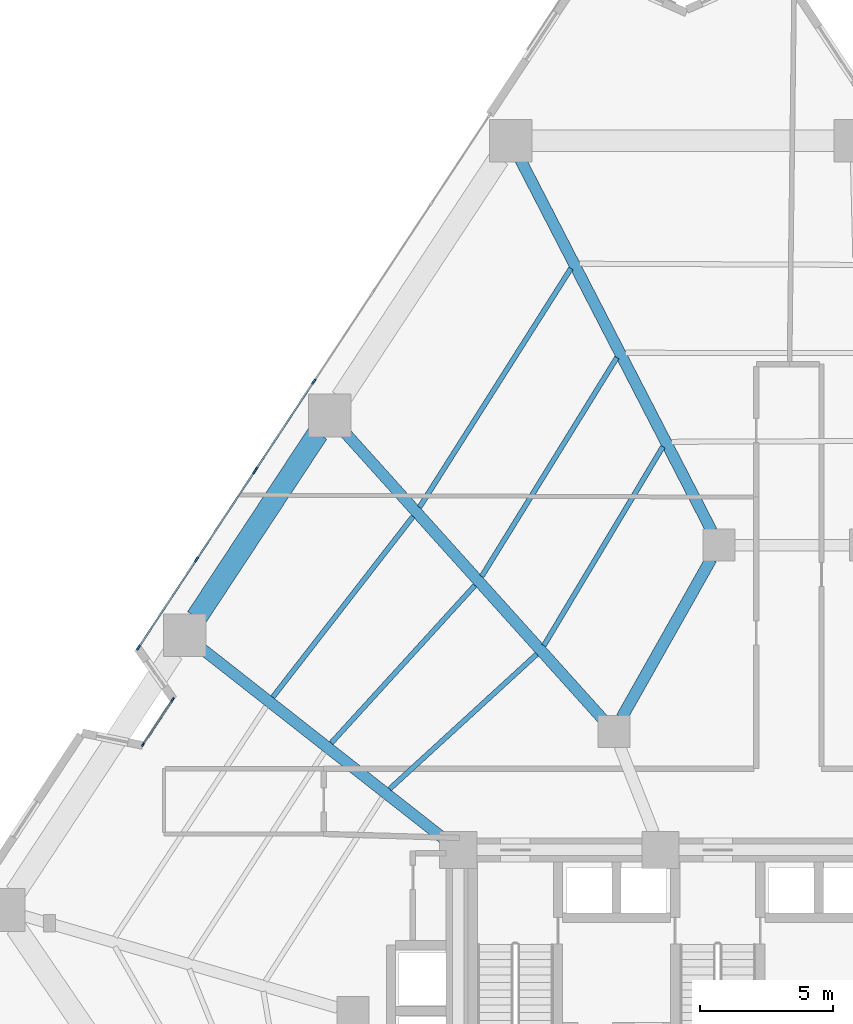
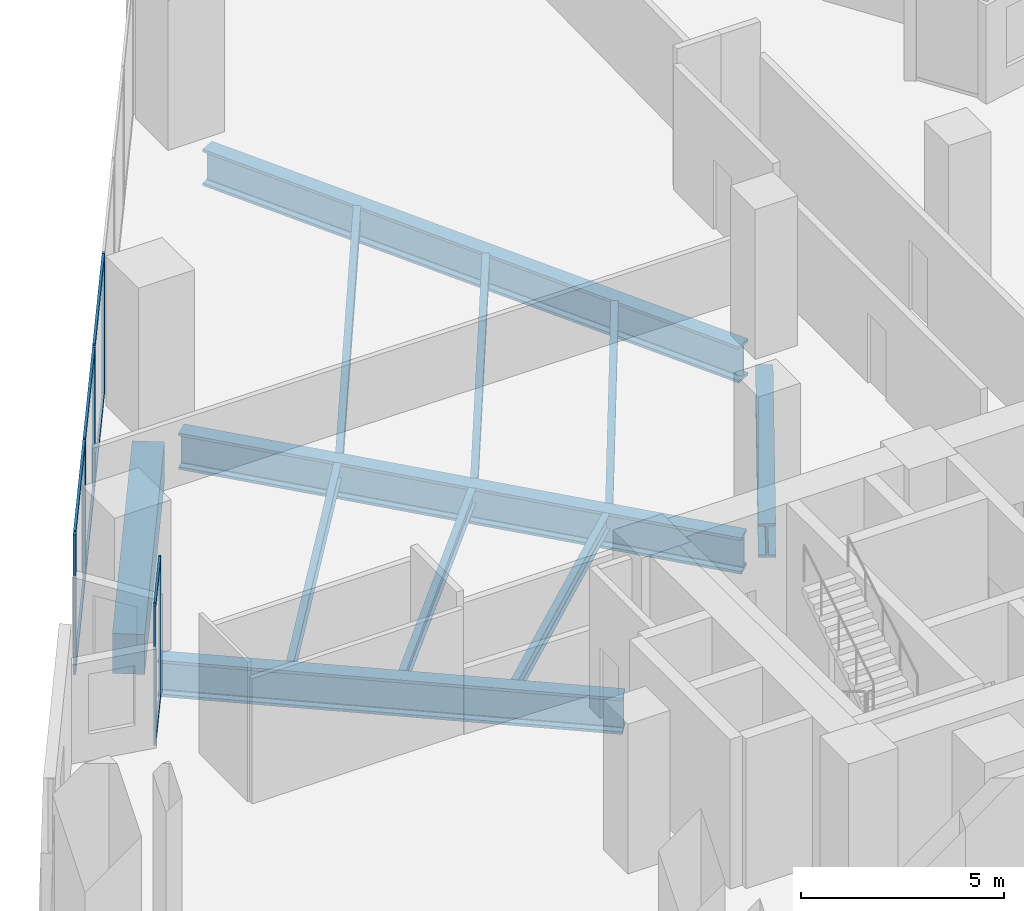
# One storey, part 2 of 11: 15 members, 11 beams, 3 elements without a shape of their own.
"""IFC4 building model written with IfcOpenShell, lengths in metres."""

from ifc_helpers import new_model, si_unit, direction, frame, origin, origin_2d, place, context, subcontext, project, spatial, rectangle, i_section, extrude, material, layer, layer_set, material_profile, profile_set, type_object, element, aggregate, save


model = new_model("IFC4")

# Units and contexts
model_context = context("Model", 3, precision=1e-05, world=origin(), true_north=direction((0.0, 1.0)))
body_context = subcontext(model_context, "Body", "Model", "MODEL_VIEW")
ifc_project = project(units=[si_unit("LENGTHUNIT", "METRE"), si_unit("AREAUNIT", "SQUARE_METRE"), si_unit("VOLUMEUNIT", "CUBIC_METRE"), si_unit("PLANEANGLEUNIT", "RADIAN"), si_unit("MASSUNIT", "GRAM", prefix="KILO")], contexts=[model_context])

# Site, building, storey
site_placement = place(None, origin())
site = spatial("IfcSite", under=ifc_project, at=site_placement, CompositionType="ELEMENT")
building_placement = place(site_placement, origin())
building = spatial("IfcBuilding", under=site, at=building_placement, Name="Almagre Mirador Tower", CompositionType="ELEMENT")
storey_placement = place(building_placement, frame((0.0, 0.0, 21.89990234375)))
storey = spatial("IfcBuildingStorey", under=building, at=storey_placement, Name="L04", CompositionType="ELEMENT", Elevation=21.89990234375)

# Beams
ifc_material_1 = material(Name="Steel ASTM A992 Grade 50", Category="steel")
ifc_material_profile_1 = material_profile(ifc_material_1, i_section(OverallWidth=0.19091796875, OverallDepth=0.4599609375, WebThickness=0.010009765625, FlangeThickness=0.01611328125, FilletRadius=0.01611328125, at=origin_2d()), Name="W18X55")
ifc_profile_set_1 = profile_set([ifc_material_profile_1], Name="Steel ASTM A992 Grade 50")
beam_type_1 = type_object("IfcBeamType", Name="BM-JST-W18X55", PredefinedType="JOIST", material=ifc_profile_set_1)
beam_1_placement = place(storey_placement, frame((31.787109375, 36.593505859375, -0.52978515625), z_axis=(-0.535447286046, -0.844568649588, 0.0), x_axis=(0.844568649588, -0.535447286046, 0.0)))
element("IfcBeam", 1, at=beam_1_placement, inside=storey, type_object=beam_type_1, Name="L04 secondary floor joist PC09-PC10.1", PredefinedType="JOIST", context=body_context, shape_type="SweptSolid", body=[
    extrude(i_section(OverallWidth=0.19091796875, OverallDepth=0.4599609375, WebThickness=0.010009765625, FlangeThickness=0.01611328125, FilletRadius=0.01611328125, at=origin_2d()), origin(), (0.0, 0.0, 1.0), 10.624267578125),
])
beam_2_placement = place(storey_placement, frame((33.51416015625, 33.245849609375, -0.52978515625), z_axis=(-0.525607423232, -0.850727239862, 0.0), x_axis=(0.850727239862, -0.525607423232, 0.0)))
element("IfcBeam", 2, at=beam_2_placement, inside=storey, type_object=beam_type_1, Name="L04 secondary floor joist PC09-PC10.2", PredefinedType="JOIST", context=body_context, shape_type="SweptSolid", body=[
    extrude(i_section(OverallWidth=0.19091796875, OverallDepth=0.4599609375, WebThickness=0.010009765625, FlangeThickness=0.01611328125, FilletRadius=0.01611328125, at=origin_2d()), origin(), (0.0, 0.0, 1.0), 9.6650390625),
])
beam_3_placement = place(storey_placement, frame((35.241455078125, 29.89794921875, -0.52978515625), z_axis=(-0.513571852625, -0.858046590921, 0.0), x_axis=(0.858046590921, -0.513571852625, 0.0)))
element("IfcBeam", 3, at=beam_3_placement, inside=storey, type_object=beam_type_1, Name="L04 secondary floor joist PC09-PC10.3", PredefinedType="JOIST", context=body_context, shape_type="SweptSolid", body=[
    extrude(i_section(OverallWidth=0.19091796875, OverallDepth=0.4599609375, WebThickness=0.010009765625, FlangeThickness=0.01611328125, FilletRadius=0.01611328125, at=origin_2d()), origin(), (0.0, 0.0, 1.0), 8.70751953125),
])
beam_4_placement = place(storey_placement, frame((25.854736328125, 27.274169921875, -0.52978515625), z_axis=(-0.613238066884, -0.789898141107, 0.0), x_axis=(0.789898141107, -0.613238066884, 0.0)))
element("IfcBeam", 4, at=beam_4_placement, inside=storey, type_object=beam_type_1, Name="L04 secondary floor joist PC10-PC11.1", PredefinedType="JOIST", context=body_context, shape_type="SweptSolid", body=[
    extrude(i_section(OverallWidth=0.19091796875, OverallDepth=0.4599609375, WebThickness=0.010009765625, FlangeThickness=0.01611328125, FilletRadius=0.01611328125, at=origin_2d()), origin(), (0.0, 0.0, 1.0), 8.591796875),
])
beam_5_placement = place(storey_placement, frame((28.179931640625, 24.686279296875, -0.52978515625), z_axis=(-0.673792506438, -0.738920603494, 0.0), x_axis=(0.738920603494, -0.673792506438, 0.0)))
element("IfcBeam", 5, at=beam_5_placement, inside=storey, type_object=beam_type_1, Name="L04 secondary floor joist PC10-PC11.2", PredefinedType="JOIST", context=body_context, shape_type="SweptSolid", body=[
    extrude(i_section(OverallWidth=0.19091796875, OverallDepth=0.4599609375, WebThickness=0.010009765625, FlangeThickness=0.01611328125, FilletRadius=0.01611328125, at=origin_2d()), origin(), (0.0, 0.0, 1.0), 8.0146484375),
])
beam_6_placement = place(storey_placement, frame((30.50439453125, 22.101318359375, -0.52978515625), z_axis=(-0.73753518568, -0.6753087071, 0.0), x_axis=(0.6753087071, -0.73753518568, 0.0)))
element("IfcBeam", 6, at=beam_6_placement, inside=storey, type_object=beam_type_1, Name="L04 secondary floor joist PC10-PC11.3", PredefinedType="JOIST", context=body_context, shape_type="SweptSolid", body=[
    extrude(i_section(OverallWidth=0.19091796875, OverallDepth=0.4599609375, WebThickness=0.010009765625, FlangeThickness=0.01611328125, FilletRadius=0.01611328125, at=origin_2d()), origin(), (0.0, 0.0, 1.0), 7.49755859375),
])
ifc_material_2 = material(Name="Precast concrete C50/60", Category="concrete")
ifc_material_profile_2 = material_profile(ifc_material_2, rectangle(XDim=0.800048828125, YDim=1.199951171875, at=origin_2d()), Name="RC800X1200")
ifc_profile_set_2 = profile_set([ifc_material_profile_2], Name="Precast concrete C50/60")
beam_type_2 = type_object("IfcBeamType", Name="BM-SPN-RC800X1200", PredefinedType="SPANDREL", material=ifc_profile_set_2)
beam_7_placement = place(storey_placement, frame((22.28173828125, 30.39990234375, -0.89990234375), z_axis=(-0.55020506323, -0.835029573366, 0.0), x_axis=(0.835029573366, -0.55020506323, 0.0)))
element("IfcBeam", 7, at=beam_7_placement, inside=storey, type_object=beam_type_2, Name="L04 perimeter spandrel beam PC10-PC11", PredefinedType="SPANDREL", context=body_context, shape_type="SweptSolid", body=[
    extrude(rectangle(XDim=0.800048828125, YDim=1.199951171875, at=origin_2d()), origin(), (0.0, 0.0, 1.0), 8.287109375),
])
ifc_material_3 = material(Name="Steel ASTM A992 Grade 50", Category="steel")
ifc_material_profile_3 = material_profile(ifc_material_3, i_section(OverallWidth=0.43701171875, OverallDepth=1.010986328125, WebThickness=0.041015625, FlangeThickness=0.073974609375, FilletRadius=0.028076171875, at=origin_2d()), Name="W36X529")
ifc_profile_set_3 = profile_set([ifc_material_profile_3], Name="Steel ASTM A992 Grade 50")
beam_type_3 = type_object("IfcBeamType", Name="BM-STL-W36X529", PredefinedType="BEAM", material=ifc_profile_set_3)
beam_8_placement = place(storey_placement, frame((37.05517578125, 25.677490234375, -0.805419921875), z_axis=(-0.491440637516, -0.870911074564, 0.0), x_axis=(0.870911074564, -0.491440637516, 0.0)))
element("IfcBeam", 8, at=beam_8_placement, inside=storey, type_object=beam_type_3, Name="L04 core tie girder MC7-MC8", PredefinedType="BEAM", context=body_context, shape_type="SweptSolid", body=[
    extrude(i_section(OverallWidth=0.43701171875, OverallDepth=1.010986328125, WebThickness=0.041015625, FlangeThickness=0.073974609375, FilletRadius=0.028076171875, at=origin_2d()), origin(), (0.0, 0.0, 1.0), 6.837646484375),
])
ifc_material_4 = material(Name="Steel ASTM A913 Grade 65", Category="steel")
ifc_material_profile_4 = material_profile(ifc_material_4, i_section(OverallWidth=0.424072265625, OverallDepth=1.092041015625, WebThickness=0.04541015625, FlangeThickness=0.08203125, FilletRadius=0.030029296875, at=origin_2d()), Name="W40X593")
ifc_profile_set_4 = profile_set([ifc_material_profile_4], Name="Steel ASTM A913 Grade 65")
beam_type_4 = type_object("IfcBeamType", Name="BM-STL-W40X593", PredefinedType="BEAM", material=ifc_profile_set_4)
beam_9_placement = place(storey_placement, frame((29.888427734375, 40.677001953125, -0.845947265625), z_axis=(0.458142935094, -0.888878535585, 0.0), x_axis=(0.888878535585, 0.458142935094, 0.0)))
element("IfcBeam", 9, at=beam_9_placement, inside=storey, type_object=beam_type_4, Name="L04 radial floor girder PC09-MC7", PredefinedType="BEAM", context=body_context, shape_type="SweptSolid", body=[
    extrude(i_section(OverallWidth=0.424072265625, OverallDepth=1.092041015625, WebThickness=0.04541015625, FlangeThickness=0.08203125, FilletRadius=0.030029296875, at=origin_2d()), origin(), (0.0, 0.0, 1.0), 15.686767578125),
])
beam_10_placement = place(storey_placement, frame((23.257080078125, 30.473388671875, -0.845947265625), z_axis=(0.668852666091, -0.743394989937, 0.0), x_axis=(0.743394989937, 0.668852666091, 0.0)))
element("IfcBeam", 10, at=beam_10_placement, inside=storey, type_object=beam_type_4, Name="L04 radial floor girder PC10-MC8", PredefinedType="BEAM", context=body_context, shape_type="SweptSolid", body=[
    extrude(i_section(OverallWidth=0.424072265625, OverallDepth=1.092041015625, WebThickness=0.04541015625, FlangeThickness=0.08203125, FilletRadius=0.030029296875, at=origin_2d()), origin(), (0.0, 0.0, 1.0), 14.564697265625),
])
beam_11_placement = place(storey_placement, frame((17.9111328125, 22.318115234375, -0.845947265625), z_axis=(0.786533842835, -0.617547175587, 0.0), x_axis=(0.617547175587, 0.786533842835, 0.0)))
element("IfcBeam", 11, at=beam_11_placement, inside=storey, type_object=beam_type_4, Name="L04 radial floor girder PC11-CC4", PredefinedType="BEAM", context=body_context, shape_type="SweptSolid", body=[
    extrude(i_section(OverallWidth=0.424072265625, OverallDepth=1.092041015625, WebThickness=0.04541015625, FlangeThickness=0.08203125, FilletRadius=0.030029296875, at=origin_2d()), origin(), (0.0, 0.0, 1.0), 11.554931640625),
])

# Curtain wall, members
ifc_material_5 = material(Name="Black anodized aluminium", Category="aluminium")
ifc_layer_1 = layer(ifc_material_5, 0.169921875)
ifc_layer_set_1 = layer_set([ifc_layer_1], Name="Black anodized aluminium")
curtain_wall_type_1 = type_object("IfcCurtainWallType", Name="CW-CRS-SYS", PredefinedType="NOTDEFINED", material=ifc_layer_set_1)
curtain_wall_1_placement = place(storey_placement, origin())
curtain_wall_1 = element("IfcCurtainWall", 12, at=curtain_wall_1_placement, inside=storey, type_object=curtain_wall_type_1, Name="L04 vertical crease curtain wall 01", PredefinedType="NOTDEFINED")
ifc_material_6 = material(Name="Black anodized aluminium", Category="aluminium")
ifc_material_profile_5 = material_profile(ifc_material_6, rectangle(XDim=0.06005859375, YDim=0.14990234375, at=origin_2d()), Name="CWM60X150")
ifc_profile_set_5 = profile_set([ifc_material_profile_5], Name="Black anodized aluminium")
member_type_1 = type_object("IfcMemberType", Name="MBR-CWM60X150", PredefinedType="MULLION", material=ifc_profile_set_5)
member_1_placement = place(storey_placement, frame((15.71240234375, 18.703125, 0.0), z_axis=(0.0, 0.0, 1.0), x_axis=(-0.83498318847, 0.550275453725, 0.0)))
member_1 = element("IfcMember", 13, at=member_1_placement, type_object=member_type_1, Name="CW-4 mullion 1", PredefinedType="MULLION", context=body_context, shape_type="SweptSolid", body=[
    extrude(rectangle(XDim=0.06005859375, YDim=0.14990234375, at=origin_2d()), origin(), (0.0, 0.0, 1.0), 4.2001953125),
])
member_2_placement = place(storey_placement, frame((16.82958984375, 20.39794921875, 0.0), z_axis=(0.0, 0.0, 1.0), x_axis=(-0.83498318847, 0.550275453725, 0.0)))
member_2 = element("IfcMember", 14, at=member_2_placement, type_object=member_type_1, Name="CW-4 mullion 2", PredefinedType="MULLION", context=body_context, shape_type="SweptSolid", body=[
    extrude(rectangle(XDim=0.06005859375, YDim=0.14990234375, at=origin_2d()), origin(), (0.0, 0.0, 1.0), 4.2001953125),
])

ifc_material_7 = material(Name="Black anodized aluminium", Category="aluminium")
ifc_layer_2 = layer(ifc_material_7, 0.219970703125)
ifc_layer_set_2 = layer_set([ifc_layer_2], Name="Black anodized aluminium")
curtain_wall_type_2 = type_object("IfcCurtainWallType", Name="CW-POD-SYS", PredefinedType="NOTDEFINED", material=ifc_layer_set_2)
curtain_wall_2_placement = place(storey_placement, origin())
curtain_wall_2 = element("IfcCurtainWall", 15, at=curtain_wall_2_placement, inside=storey, type_object=curtain_wall_type_2, Name="L04 curtain wall run 02", PredefinedType="NOTDEFINED")
ifc_material_8 = material(Name="Black anodized aluminium", Category="aluminium")
ifc_material_profile_6 = material_profile(ifc_material_8, rectangle(XDim=0.070068359375, YDim=0.2099609375, at=origin_2d()), Name="CWM70X210")
ifc_profile_set_6 = profile_set([ifc_material_profile_6], Name="Black anodized aluminium")
member_type_2 = type_object("IfcMemberType", Name="MBR-CWM70X210", PredefinedType="MULLION", material=ifc_profile_set_6)
member_3_placement = place(storey_placement, frame((15.540283203125, 22.34912109375, 0.0), z_axis=(0.0, 0.0, 1.0), x_axis=(-0.835026685891, 0.550209445439, 0.0)))
member_3 = element("IfcMember", 16, at=member_3_placement, type_object=member_type_2, Name="CW-1 mullion 1", PredefinedType="MULLION", context=body_context, shape_type="SweptSolid", body=[
    extrude(rectangle(XDim=0.070068359375, YDim=0.2099609375, at=origin_2d()), origin(), (0.0, 0.0, 1.0), 4.2001953125),
])
member_4_placement = place(storey_placement, frame((17.72314453125, 25.662353515625, 0.0), z_axis=(0.0, 0.0, 1.0), x_axis=(-0.835026685891, 0.550209445439, 0.0)))
member_4 = element("IfcMember", 17, at=member_4_placement, type_object=member_type_2, Name="CW-1 mullion 2", PredefinedType="MULLION", context=body_context, shape_type="SweptSolid", body=[
    extrude(rectangle(XDim=0.070068359375, YDim=0.2099609375, at=origin_2d()), origin(), (0.0, 0.0, 1.0), 4.2001953125),
])
member_5_placement = place(storey_placement, frame((19.90625, 28.975341796875, 0.0), z_axis=(0.0, 0.0, 1.0), x_axis=(-0.835026685891, 0.550209445439, 0.0)))
member_5 = element("IfcMember", 18, at=member_5_placement, type_object=member_type_2, Name="CW-1 mullion 3", PredefinedType="MULLION", context=body_context, shape_type="SweptSolid", body=[
    extrude(rectangle(XDim=0.070068359375, YDim=0.2099609375, at=origin_2d()), origin(), (0.0, 0.0, 1.0), 4.2001953125),
])

curtain_wall_3_placement = place(storey_placement, origin())
curtain_wall_3 = element("IfcCurtainWall", 19, at=curtain_wall_3_placement, inside=storey, type_object=curtain_wall_type_2, Name="L04 curtain wall run 03", PredefinedType="NOTDEFINED")
member_6_placement = place(storey_placement, frame((19.94482421875, 29.03369140625, 0.0), z_axis=(0.0, 0.0, 1.0), x_axis=(-0.835026685891, 0.550209445439, 0.0)))
member_6 = element("IfcMember", 20, at=member_6_placement, type_object=member_type_2, Name="CW-1 mullion 1", PredefinedType="MULLION", context=body_context, shape_type="SweptSolid", body=[
    extrude(rectangle(XDim=0.070068359375, YDim=0.2099609375, at=origin_2d()), origin(), (0.0, 0.0, 1.0), 4.2001953125),
])
member_7_placement = place(storey_placement, frame((22.127685546875, 32.3466796875, 0.0), z_axis=(0.0, 0.0, 1.0), x_axis=(-0.835026685891, 0.550209445439, 0.0)))
member_7 = element("IfcMember", 21, at=member_7_placement, type_object=member_type_2, Name="CW-1 mullion 2", PredefinedType="MULLION", context=body_context, shape_type="SweptSolid", body=[
    extrude(rectangle(XDim=0.070068359375, YDim=0.2099609375, at=origin_2d()), origin(), (0.0, 0.0, 1.0), 4.2001953125),
])

# Member
ifc_material_9 = material(Name="Black anodized aluminium", Category="aluminium")
ifc_material_profile_7 = material_profile(ifc_material_9, rectangle(XDim=0.06005859375, YDim=0.1298828125, at=origin_2d()), Name="CWT60X130")
ifc_profile_set_7 = profile_set([ifc_material_profile_7], Name="Black anodized aluminium")
member_type_3 = type_object("IfcMemberType", Name="MBR-CWT60X130", PredefinedType="USERDEFINED", material=ifc_profile_set_7)
member_8_placement = place(storey_placement, frame((15.72900390625, 18.72802734375, 0.030029296875), z_axis=(0.550287833271, 0.834975029898, 0.0), x_axis=(-0.834975029898, 0.550287833271, 0.0)))
member_8 = element("IfcMember", 22, at=member_8_placement, type_object=member_type_3, Name="CW-4 transom 1.1", ObjectType="TRANSOM", PredefinedType="USERDEFINED", context=body_context, shape_type="SweptSolid", body=[
    extrude(rectangle(XDim=0.06005859375, YDim=0.1298828125, at=origin_2d()), origin(), (0.0, 0.0, 1.0), 1.969970703125),
])

member_9_placement = place(storey_placement, frame((15.72900390625, 18.72802734375, 4.170166015625), z_axis=(0.550287833271, 0.834975029898, 0.0), x_axis=(-0.834975029898, 0.550287833271, 0.0)))
member_9 = element("IfcMember", 23, at=member_9_placement, type_object=member_type_3, Name="CW-4 transom 1.2", ObjectType="TRANSOM", PredefinedType="USERDEFINED", context=body_context, shape_type="SweptSolid", body=[
    extrude(rectangle(XDim=0.06005859375, YDim=0.1298828125, at=origin_2d()), origin(), (0.0, 0.0, 1.0), 1.969970703125),
])

aggregate(curtain_wall_1, [member_1, member_2, member_8, member_9])

ifc_material_10 = material(Name="Black anodized aluminium", Category="aluminium")
ifc_material_profile_8 = material_profile(ifc_material_10, rectangle(XDim=0.06494140625, YDim=0.14990234375, at=origin_2d()), Name="CWT65X150")
ifc_profile_set_8 = profile_set([ifc_material_profile_8], Name="Black anodized aluminium")
member_type_4 = type_object("IfcMemberType", Name="MBR-CWT65X150", PredefinedType="USERDEFINED", material=ifc_profile_set_8)
member_10_placement = place(storey_placement, frame((15.5595703125, 22.37841796875, 0.03271484375), z_axis=(0.550211134434, 0.835025572989, 0.0), x_axis=(-0.835025572989, 0.550211134434, 0.0)))
member_10 = element("IfcMember", 24, at=member_10_placement, type_object=member_type_4, Name="CW-1 transom 1.1", ObjectType="TRANSOM", PredefinedType="USERDEFINED", context=body_context, shape_type="SweptSolid", body=[
    extrude(rectangle(XDim=0.06494140625, YDim=0.14990234375, at=origin_2d()), origin(), (0.0, 0.0, 1.0), 3.897705078125),
])

member_11_placement = place(storey_placement, frame((15.5595703125, 22.37841796875, 4.16748046875), z_axis=(0.550211134434, 0.835025572989, 0.0), x_axis=(-0.835025572989, 0.550211134434, 0.0)))
member_11 = element("IfcMember", 25, at=member_11_placement, type_object=member_type_4, Name="CW-1 transom 1.2", ObjectType="TRANSOM", PredefinedType="USERDEFINED", context=body_context, shape_type="SweptSolid", body=[
    extrude(rectangle(XDim=0.06494140625, YDim=0.14990234375, at=origin_2d()), origin(), (0.0, 0.0, 1.0), 3.897705078125),
])

member_12_placement = place(storey_placement, frame((17.742431640625, 25.69140625, 0.03271484375), z_axis=(0.550211134434, 0.835025572989, 0.0), x_axis=(-0.835025572989, 0.550211134434, 0.0)))
member_12 = element("IfcMember", 26, at=member_12_placement, type_object=member_type_4, Name="CW-1 transom 2.1", ObjectType="TRANSOM", PredefinedType="USERDEFINED", context=body_context, shape_type="SweptSolid", body=[
    extrude(rectangle(XDim=0.06494140625, YDim=0.14990234375, at=origin_2d()), origin(), (0.0, 0.0, 1.0), 3.897705078125),
])

member_13_placement = place(storey_placement, frame((17.742431640625, 25.69140625, 4.16748046875), z_axis=(0.550211134434, 0.835025572989, 0.0), x_axis=(-0.835025572989, 0.550211134434, 0.0)))
member_13 = element("IfcMember", 27, at=member_13_placement, type_object=member_type_4, Name="CW-1 transom 2.2", ObjectType="TRANSOM", PredefinedType="USERDEFINED", context=body_context, shape_type="SweptSolid", body=[
    extrude(rectangle(XDim=0.06494140625, YDim=0.14990234375, at=origin_2d()), origin(), (0.0, 0.0, 1.0), 3.897705078125),
])

aggregate(curtain_wall_2, [member_3, member_4, member_5, member_10, member_11, member_12, member_13])

member_14_placement = place(storey_placement, frame((19.964111328125, 29.06298828125, 0.03271484375), z_axis=(0.550167456805, 0.835054351209, 0.0), x_axis=(-0.835054351209, 0.550167456805, 0.0)))
member_14 = element("IfcMember", 28, at=member_14_placement, type_object=member_type_4, Name="CW-1 transom 1.1", ObjectType="TRANSOM", PredefinedType="USERDEFINED", context=body_context, shape_type="SweptSolid", body=[
    extrude(rectangle(XDim=0.06494140625, YDim=0.14990234375, at=origin_2d()), origin(), (0.0, 0.0, 1.0), 3.8974609375),
])

member_15_placement = place(storey_placement, frame((19.964111328125, 29.06298828125, 4.16748046875), z_axis=(0.550167456805, 0.835054351209, 0.0), x_axis=(-0.835054351209, 0.550167456805, 0.0)))
member_15 = element("IfcMember", 29, at=member_15_placement, type_object=member_type_4, Name="CW-1 transom 1.2", ObjectType="TRANSOM", PredefinedType="USERDEFINED", context=body_context, shape_type="SweptSolid", body=[
    extrude(rectangle(XDim=0.06494140625, YDim=0.14990234375, at=origin_2d()), origin(), (0.0, 0.0, 1.0), 3.8974609375),
])

aggregate(curtain_wall_3, [member_6, member_7, member_14, member_15])

save(model, "model.ifc")
